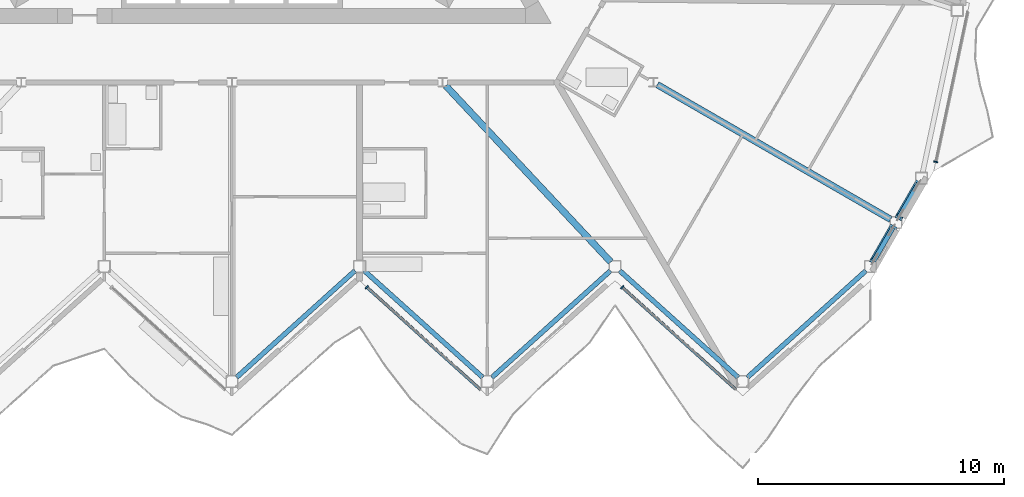
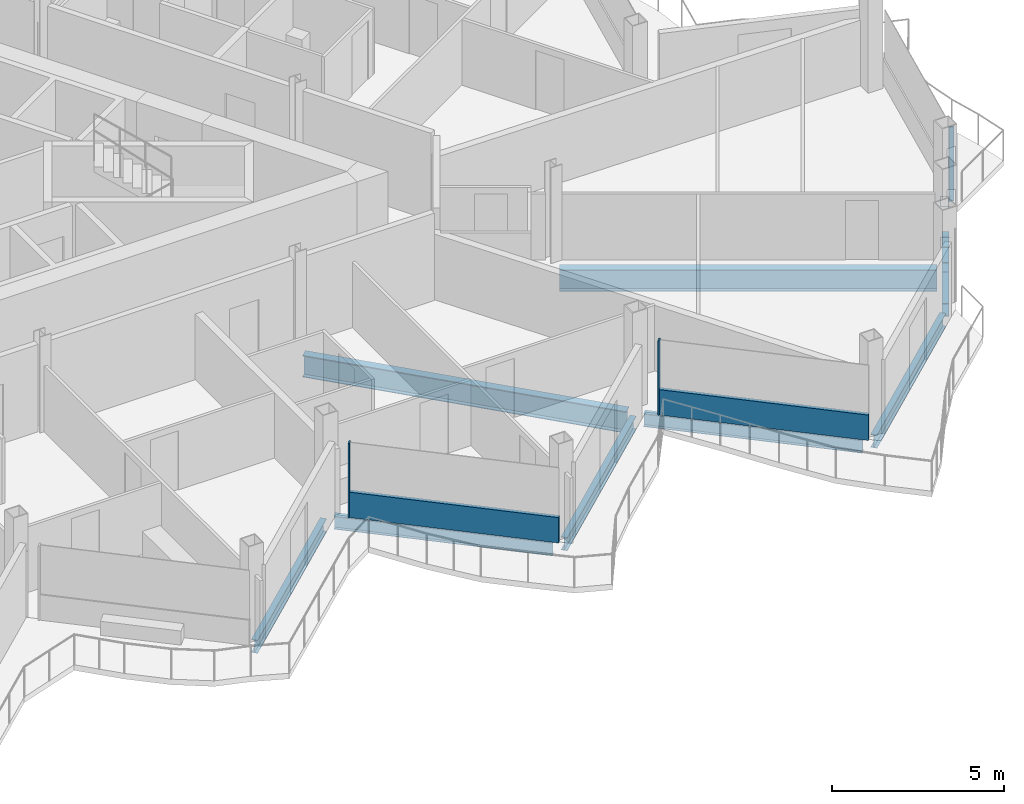
# One storey, part 7 of 26: 9 beams, 7 members, 3 elements without a shape of their own.
"""IFC4 building model written with IfcOpenShell, lengths in metres."""

from ifc_helpers import new_model, si_unit, direction, frame, origin, origin_2d, place, context, subcontext, project, spatial, rectangle, hollow_rectangle, i_section, extrude, material, layer, layer_set, material_profile, profile_set, type_object, element, aggregate, save


model = new_model("IFC4")

# Units and contexts
model_context = context("Model", 3, precision=1e-05, world=origin(), true_north=direction((0.0, 1.0)))
body_context = subcontext(model_context, "Body", "Model", "MODEL_VIEW")
ifc_project = project(units=[si_unit("LENGTHUNIT", "METRE"), si_unit("AREAUNIT", "SQUARE_METRE"), si_unit("VOLUMEUNIT", "CUBIC_METRE"), si_unit("PLANEANGLEUNIT", "RADIAN"), si_unit("MASSUNIT", "GRAM", prefix="KILO")], contexts=[model_context])

# Site, building, storey
site_placement = place(None, origin())
site = spatial("IfcSite", under=ifc_project, at=site_placement, CompositionType="ELEMENT")
building_placement = place(site_placement, origin())
building = spatial("IfcBuilding", under=site, at=building_placement, Name="Cormorant Prow Tower", CompositionType="ELEMENT")
storey_placement = place(building_placement, frame((0.0, 0.0, 374.60009765625)))
storey = spatial("IfcBuildingStorey", under=building, at=storey_placement, Name="L84", CompositionType="ELEMENT", Elevation=374.60009765625)

# Members
ifc_material_1 = material(Name="Structural steel ASTM A500 Gr C", Category="steel")
ifc_material_profile_1 = material_profile(ifc_material_1, hollow_rectangle(XDim=0.3046875, YDim=0.3046875, WallThickness=0.01171875, at=origin_2d()), Name="HSS12x12x1/2")
ifc_profile_set_1 = profile_set([ifc_material_profile_1], Name="Structural steel ASTM A500 Gr C")
member_type_1 = type_object("IfcMemberType", Name="Chamfer brace HSS12x12x1/2", PredefinedType="BRACE", material=ifc_profile_set_1)
member_1_placement = place(storey_placement, frame((26.91357421875, -15.823486328125, 0.7705078125), z_axis=(-0.411298537745, -0.71230756954, 0.568727913175), x_axis=(0.866000359435, -0.500043375578, 0.0)))
element("IfcMember", 1, at=member_1_placement, inside=storey, type_object=member_type_1, Name="Chamfer brace BR3 at ESE00 L84", PredefinedType="BRACE", context=body_context, shape_type="SweptSolid", body=[
    extrude(hollow_rectangle(XDim=0.3046875, YDim=0.3046875, WallThickness=0.01171875, at=origin_2d()), origin(), (0.0, 0.0, 1.0), 1.92138671875),
])
member_2_placement = place(storey_placement, frame((27.950439453125, -14.027587890625, 0.7705078125), z_axis=(-0.411230183851, -0.712282194217, 0.568809117095), x_axis=(0.866028632512, -0.499994407638, 0.0)))
element("IfcMember", 2, at=member_2_placement, inside=storey, type_object=member_type_1, Name="Chamfer brace BR3 at ESE01 L84", PredefinedType="BRACE", context=body_context, shape_type="SweptSolid", body=[
    extrude(hollow_rectangle(XDim=0.3046875, YDim=0.3046875, WallThickness=0.01171875, at=origin_2d()), origin(), (0.0, 0.0, 1.0), 1.921142578125),
])

# Beams
ifc_material_2 = material(Name="Structural steel ASTM A992 Gr 50", Category="steel")
ifc_material_profile_2 = material_profile(ifc_material_2, i_section(OverallWidth=0.267822265625, OverallDepth=0.77001953125, WebThickness=0.015625, FlangeThickness=0.025390625, at=origin_2d()), Name="W30x132")
ifc_profile_set_2 = profile_set([ifc_material_profile_2], Name="Structural steel ASTM A992 Gr 50")
beam_type_1 = type_object("IfcBeamType", Name="Radial floor beam W30x132", PredefinedType="BEAM", material=ifc_profile_set_2)
beam_1_placement = place(storey_placement, frame((8.706298828125, -10.0419921875, -0.68505859375), z_axis=(0.683430760659, -0.730015339144, 0.0), x_axis=(0.730015339144, 0.683430760659, 0.0)))
element("IfcBeam", 3, at=beam_1_placement, inside=storey, type_object=beam_type_1, Name="Radial floor beam FB3 8 L84", PredefinedType="BEAM", context=body_context, shape_type="SweptSolid", body=[
    extrude(i_section(OverallWidth=0.267822265625, OverallDepth=0.77001953125, WebThickness=0.015625, FlangeThickness=0.025390625, at=origin_2d()), origin(), (0.0, 0.0, 1.0), 9.8369140625),
])
beam_2_placement = place(storey_placement, frame((17.31884765625, -9.9990234375, -0.68505859375), z_axis=(0.866018830095, -0.500011385791, 0.0), x_axis=(0.500011385791, 0.866018830095, 0.0)))
element("IfcBeam", 4, at=beam_2_placement, inside=storey, type_object=beam_type_1, Name="Radial floor beam FB3 9 L84", PredefinedType="BEAM", context=body_context, shape_type="SweptSolid", body=[
    extrude(i_section(OverallWidth=0.267822265625, OverallDepth=0.77001953125, WebThickness=0.015625, FlangeThickness=0.025390625, at=origin_2d()), origin(), (0.0, 0.0, 1.0), 10.971435546875),
])

# Curtain wall, member
ifc_material_3 = material(Name="Aluminium 6063-T6", Category="aluminium")
ifc_layer = layer(ifc_material_3, 0.159912109375)
ifc_layer_set = layer_set([ifc_layer], Name="Aluminium 6063-T6")
curtain_wall_type = type_object("IfcCurtainWallType", Name="Residential unitised curtain wall 160", PredefinedType="NOTDEFINED", material=ifc_layer_set)
curtain_wall_1_placement = place(storey_placement, origin())
curtain_wall_1 = element("IfcCurtainWall", 5, at=curtain_wall_1_placement, inside=storey, type_object=curtain_wall_type, Name="Residential curtain wall S06", PredefinedType="NOTDEFINED")
ifc_material_4 = material(Name="Aluminium 6063-T6", Category="aluminium")
ifc_material_profile_3 = material_profile(ifc_material_4, rectangle(XDim=0.159912109375, YDim=0.050048828125, at=origin_2d()), Name="Residential mullion 50x160")
ifc_profile_set_3 = profile_set([ifc_material_profile_3], Name="Aluminium 6063-T6")
member_type_2 = type_object("IfcMemberType", Name="Residential mullion 50x160", PredefinedType="MULLION", material=ifc_profile_set_3)
member_3_placement = place(storey_placement, frame((5.490478515625, -18.2451171875, 0.0), z_axis=(0.0, 0.0, 1.0), x_axis=(0.669130603959, 0.743144827638, 0.0)))
member_3 = element("IfcMember", 6, at=member_3_placement, type_object=member_type_2, Name="Residential mullion S06", PredefinedType="MULLION", context=body_context, shape_type="SweptSolid", body=[
    extrude(rectangle(XDim=0.159912109375, YDim=0.050048828125, at=origin_2d()), origin(), (0.0, 0.0, 1.0), 2.6337890625),
])

curtain_wall_2_placement = place(storey_placement, origin())
curtain_wall_2 = element("IfcCurtainWall", 7, at=curtain_wall_2_placement, inside=storey, type_object=curtain_wall_type, Name="Residential curtain wall S08", PredefinedType="NOTDEFINED")
member_4_placement = place(storey_placement, frame((15.890625, -18.2451171875, 0.0), z_axis=(0.0, 0.0, 1.0), x_axis=(0.669130603959, 0.743144827638, 0.0)))
member_4 = element("IfcMember", 8, at=member_4_placement, type_object=member_type_2, Name="Residential mullion S08", PredefinedType="MULLION", context=body_context, shape_type="SweptSolid", body=[
    extrude(rectangle(XDim=0.159912109375, YDim=0.050048828125, at=origin_2d()), origin(), (0.0, 0.0, 1.0), 2.6337890625),
])

curtain_wall_3_placement = place(storey_placement, origin())
curtain_wall_3 = element("IfcCurtainWall", 9, at=curtain_wall_3_placement, inside=storey, type_object=curtain_wall_type, Name="Residential curtain wall ENE00", PredefinedType="NOTDEFINED")
member_5_placement = place(storey_placement, frame((28.655517578125, -13.142333984375, 0.0), z_axis=(0.0, 0.0, 1.0), x_axis=(-0.978147615768, 0.207911620089, 0.0)))
member_5 = element("IfcMember", 10, at=member_5_placement, type_object=member_type_2, Name="Residential mullion ENE00", PredefinedType="MULLION", context=body_context, shape_type="SweptSolid", body=[
    extrude(rectangle(XDim=0.159912109375, YDim=0.050048828125, at=origin_2d()), origin(), (0.0, 0.0, 1.0), 2.6337890625),
])
aggregate(curtain_wall_3, [member_5])

# Member
ifc_material_5 = material(Name="Terracotta", Category="masonry")
ifc_material_profile_4 = material_profile(ifc_material_5, rectangle(XDim=0.1201171875, YDim=0.89990234375, at=origin_2d()), Name="Residential terracotta spandrel rail 120x900")
ifc_profile_set_4 = profile_set([ifc_material_profile_4], Name="Terracotta")
member_type_3 = type_object("IfcMemberType", Name="Residential terracotta spandrel rail 120x900", PredefinedType="USERDEFINED", material=ifc_profile_set_4)
member_6_placement = place(storey_placement, frame((5.509033203125, -18.261962890625, 0.449951171875), z_axis=(0.743159360055, -0.669114463723, 0.0), x_axis=(0.669114463723, 0.743159360055, 0.0)))
member_6 = element("IfcMember", 11, at=member_6_placement, type_object=member_type_3, Name="Residential spandrel rail S06", ObjectType="TRANSOM", PredefinedType="USERDEFINED", context=body_context, shape_type="SweptSolid", body=[
    extrude(rectangle(XDim=0.1201171875, YDim=0.89990234375, at=origin_2d()), origin(), (0.0, 0.0, 1.0), 6.21533203125),
])

aggregate(curtain_wall_1, [member_3, member_6])

member_7_placement = place(storey_placement, frame((15.9091796875, -18.261962890625, 0.449951171875), z_axis=(0.743159360055, -0.669114463723, 0.0), x_axis=(0.669114463723, 0.743159360055, 0.0)))
member_7 = element("IfcMember", 12, at=member_7_placement, type_object=member_type_3, Name="Residential spandrel rail S08", ObjectType="TRANSOM", PredefinedType="USERDEFINED", context=body_context, shape_type="SweptSolid", body=[
    extrude(rectangle(XDim=0.1201171875, YDim=0.89990234375, at=origin_2d()), origin(), (0.0, 0.0, 1.0), 6.21533203125),
])

aggregate(curtain_wall_2, [member_4, member_7])

# Beams
ifc_material_6 = material(Name="Structural steel ASTM A992 Gr 50", Category="steel")
ifc_material_profile_5 = material_profile(ifc_material_6, i_section(OverallWidth=0.19287109375, OverallDepth=0.466064453125, WebThickness=0.011474609375, FlangeThickness=0.01904296875, at=origin_2d()), Name="W18x65")
ifc_profile_set_5 = profile_set([ifc_material_profile_5], Name="Structural steel ASTM A992 Gr 50")
beam_type_2 = type_object("IfcBeamType", Name="Spandrel beam W18x65", PredefinedType="SPANDREL", material=ifc_profile_set_5)
for number, where, z_axis, x_axis, name in (
    (13, (0.185791015625, -21.920654296875, -0.533203125), (0.743131573737, 0.669145323614, 0.0), (-0.669145323614, 0.743131573737, 0.0), "Spandrel beam SB4 S05-S06 L84"),
    (14, (5.3857421875, -17.572998046875, -0.533203125), (0.743131573737, -0.669145323614, 0.0), (0.669145323614, 0.743131573737, 0.0), "Spandrel beam SB4 S06-S07 L84"),
):
    element("IfcBeam", number, at=place(storey_placement, frame(where, z_axis=z_axis, x_axis=x_axis)), inside=storey, type_object=beam_type_2, Name=name, PredefinedType="SPANDREL", context=body_context, shape_type="SweptSolid", body=[
        extrude(i_section(OverallWidth=0.19287109375, OverallDepth=0.466064453125, WebThickness=0.011474609375, FlangeThickness=0.01904296875, at=origin_2d()), origin(), (0.0, 0.0, 1.0), 6.497314453125),
    ])
beam_3_placement = place(storey_placement, frame((10.585693359375, -21.920654296875, -0.533203125), z_axis=(0.743148397689, 0.669126638995, 0.0), x_axis=(-0.669126638995, 0.743148397689, 0.0)))
element("IfcBeam", 15, at=beam_3_placement, inside=storey, type_object=beam_type_2, Name="Spandrel beam SB4 S07-S08 L84", PredefinedType="SPANDREL", context=body_context, shape_type="SweptSolid", body=[
    extrude(i_section(OverallWidth=0.19287109375, OverallDepth=0.466064453125, WebThickness=0.011474609375, FlangeThickness=0.01904296875, at=origin_2d()), origin(), (0.0, 0.0, 1.0), 6.49755859375),
])
for number, where, z_axis, x_axis, name in (
    (16, (15.785888671875, -17.572998046875, -0.533203125), (0.743131573737, -0.669145323614, 0.0), (0.669145323614, 0.743131573737, 0.0), "Spandrel beam SB4 S08-S09 L84"),
    (17, (20.98583984375, -21.920654296875, -0.533203125), (0.743131573737, 0.669145323614, 0.0), (-0.669145323614, 0.743131573737, 0.0), "Spandrel beam SB4 S09-ESE00 L84"),
):
    element("IfcBeam", number, at=place(storey_placement, frame(where, z_axis=z_axis, x_axis=x_axis)), inside=storey, type_object=beam_type_2, Name=name, PredefinedType="SPANDREL", context=body_context, shape_type="SweptSolid", body=[
        extrude(i_section(OverallWidth=0.19287109375, OverallDepth=0.466064453125, WebThickness=0.011474609375, FlangeThickness=0.01904296875, at=origin_2d()), origin(), (0.0, 0.0, 1.0), 6.497314453125),
    ])
for number, where, z_axis, x_axis, name in (
    (18, (26.125, -17.189208984375, -0.533203125), (0.499959680857, 0.866048680801, 0.0), (-0.866048680801, 0.499959680857, 0.0), "Spandrel beam SB4 ESE00-ESE01 L84"),
    (19, (27.161865234375, -15.393310546875, -0.533203125), (0.499959680857, 0.866048680801, 0.0), (-0.866048680801, 0.499959680857, 0.0), "Spandrel beam SB4 ESE01-ENE00 L84"),
):
    element("IfcBeam", number, at=place(storey_placement, frame(where, z_axis=z_axis, x_axis=x_axis)), inside=storey, type_object=beam_type_2, Name=name, PredefinedType="SPANDREL", context=body_context, shape_type="SweptSolid", body=[
        extrude(i_section(OverallWidth=0.19287109375, OverallDepth=0.466064453125, WebThickness=0.011474609375, FlangeThickness=0.01904296875, at=origin_2d()), origin(), (0.0, 0.0, 1.0), 1.573974609375),
    ])

save(model, "model.ifc")
